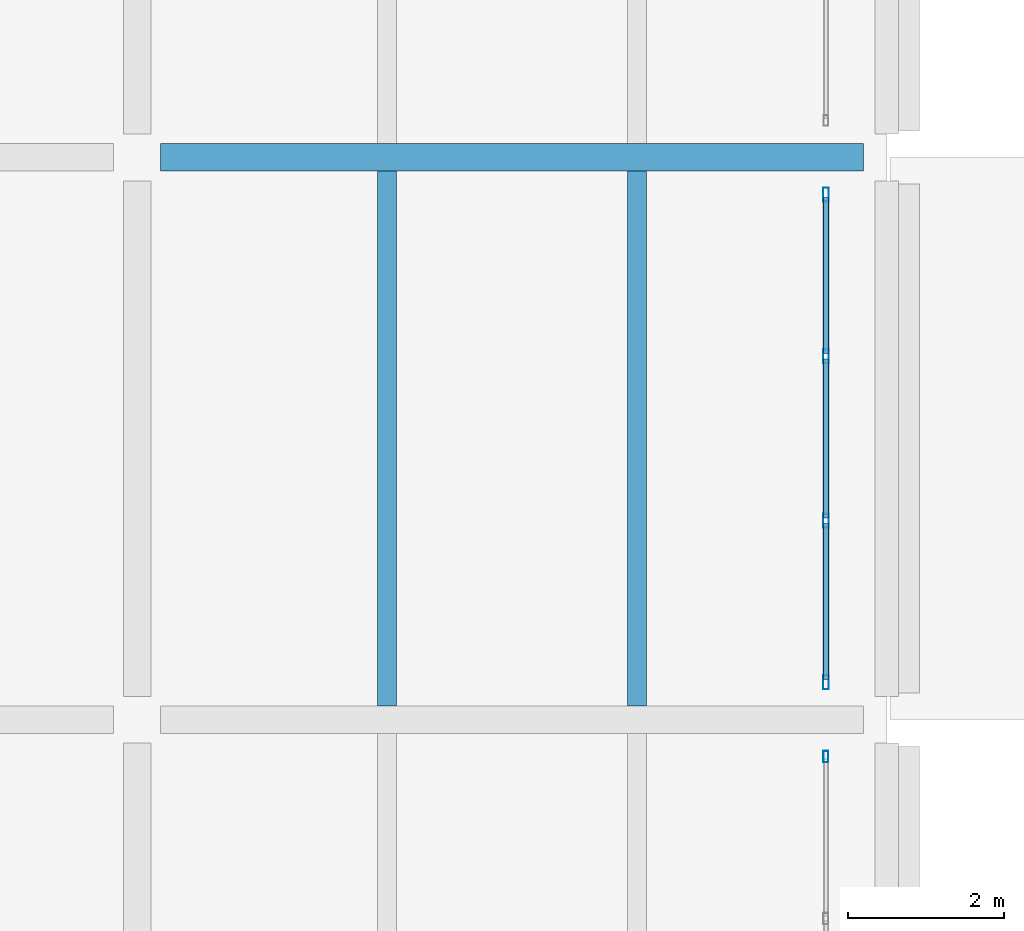
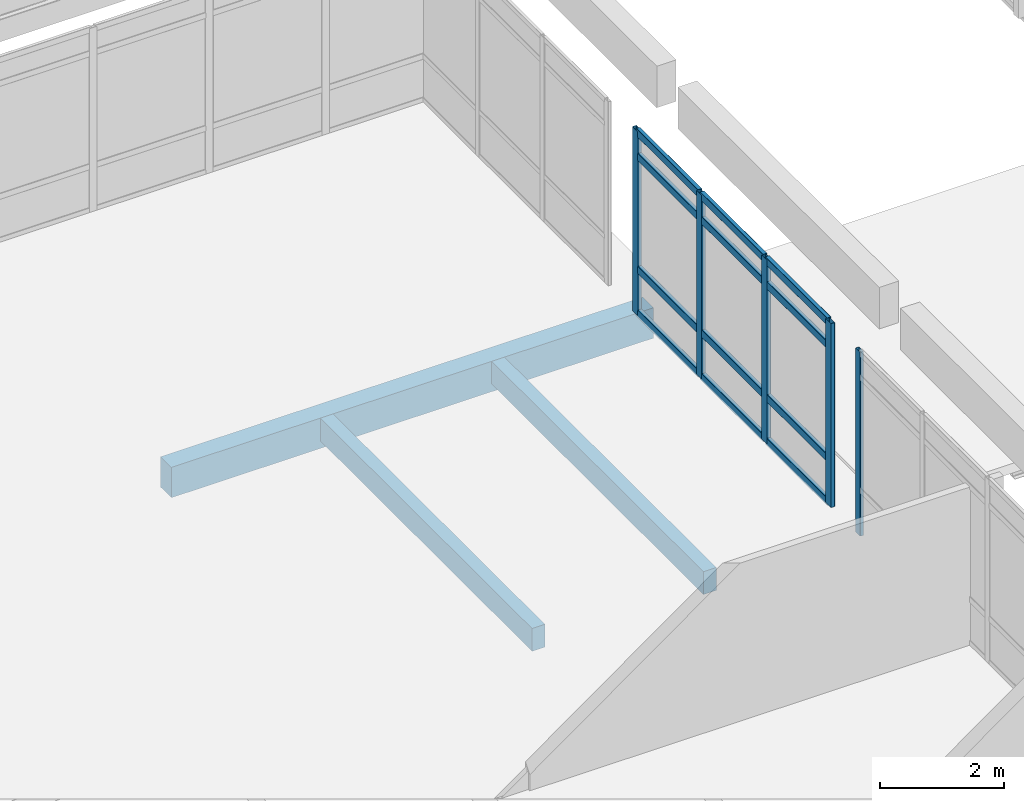
# One storey, part 67 of 180: 17 members, 3 beams, 2 elements without a shape of their own.
"""IFC4 building model written with IfcOpenShell, lengths in metres."""

from ifc_helpers import new_model, si_unit, direction, frame, origin, origin_2d, place, context, subcontext, project, spatial, rectangle, hollow_rectangle, extrude, material, layer, layer_set, material_profile, profile_set, type_object, element, aggregate, save


model = new_model("IFC4")

# Units and contexts
model_context = context("Model", 3, precision=1e-05, world=origin(), true_north=direction((0.0, 1.0)))
body_context = subcontext(model_context, "Body", "Model", "MODEL_VIEW")
ifc_project = project(units=[si_unit("LENGTHUNIT", "METRE"), si_unit("AREAUNIT", "SQUARE_METRE"), si_unit("VOLUMEUNIT", "CUBIC_METRE"), si_unit("PLANEANGLEUNIT", "RADIAN"), si_unit("MASSUNIT", "GRAM", prefix="KILO")], contexts=[model_context])

# Site, building, storey
site_placement = place(None, origin())
site = spatial("IfcSite", under=ifc_project, at=site_placement, CompositionType="ELEMENT")
building_placement = place(site_placement, origin())
building = spatial("IfcBuilding", under=site, at=building_placement, Name="Asteropetra Specialist Clinic", CompositionType="ELEMENT")
storey_placement = place(building_placement, frame((0.0, 0.0, 4.419921875)))
storey = spatial("IfcBuildingStorey", under=building, at=storey_placement, Name="L01", CompositionType="ELEMENT", Elevation=4.419921875)

# Beam
ifc_material_1 = material(Name="Concrete C35/45", Category="concrete")
ifc_material_profile_1 = material_profile(ifc_material_1, rectangle(XDim=0.35009765625, YDim=0.60009765625, at=origin_2d()), Name="RCB 350x600")
ifc_profile_set_1 = profile_set([ifc_material_profile_1], Name="Concrete C35/45")
beam_type_1 = type_object("IfcBeamType", Name="BM-RC350x600", PredefinedType="BEAM", material=ifc_profile_set_1)
beam_placement = place(storey_placement, frame((86.699951171875, 55.199951171875, -0.559814453125), z_axis=(1.0, 0.0, 0.0), x_axis=(0.0, 1.0, 0.0)))
element("IfcBeam", 1, at=beam_placement, inside=storey, type_object=beam_type_1, Name="Beam BBM09-0771", PredefinedType="BEAM", context=body_context, shape_type="SweptSolid", body=[
    extrude(rectangle(XDim=0.35009765625, YDim=0.60009765625, at=origin_2d()), origin(), (0.0, 0.0, 1.0), 9.0),
])

# Curtain wall, member
ifc_material_2 = material(Name="Aluminium and low-E glass", Category="aluminium")
ifc_layer = layer(ifc_material_2, 0.179931640625)
ifc_layer_set = layer_set([ifc_layer], Name="Aluminium and low-E glass")
curtain_wall_type = type_object("IfcCurtainWallType", Name="CW-SYS-10", PredefinedType="USERDEFINED", material=ifc_layer_set)
curtain_wall_1_placement = place(storey_placement, origin())
curtain_wall_1 = element("IfcCurtainWall", 2, at=curtain_wall_1_placement, inside=storey, type_object=curtain_wall_type, Name="Curtain Wall CW-178", ObjectType="STICK GLAZED COLONNADE", PredefinedType="USERDEFINED")
ifc_material_3 = material(Name="Aluminium 6063-T6", Category="aluminium")
ifc_material_profile_2 = material_profile(ifc_material_3, hollow_rectangle(XDim=0.06494140625, YDim=0.14990234375, WallThickness=0.00390625, InnerFilletRadius=0.00390625, OuterFilletRadius=0.008056640625, at=origin_2d()), Name="MUL 150x65x4.0")
ifc_profile_set_2 = profile_set([ifc_material_profile_2], Name="Aluminium 6063-T6")
member_type_1 = type_object("IfcMemberType", Name="CWM-150x65", PredefinedType="MULLION", material=ifc_profile_set_2)
member_1_placement = place(storey_placement, frame((95.219970703125, 47.527587890625, 0.0), z_axis=(0.0, 0.0, 1.0), x_axis=(-1.0, 0.0, 0.0)))
member_1 = element("IfcMember", 3, at=member_1_placement, type_object=member_type_1, Name="CW-178 mullion 4", PredefinedType="MULLION", context=body_context, shape_type="SweptSolid", body=[
    extrude(hollow_rectangle(XDim=0.06494140625, YDim=0.14990234375, WallThickness=0.00390625, InnerFilletRadius=0.00390625, OuterFilletRadius=0.008056640625, at=origin_2d()), origin(), (0.0, 0.0, 1.0), 3.630126953125),
])
aggregate(curtain_wall_1, [member_1])

# Curtain wall, members
curtain_wall_2_placement = place(storey_placement, origin())
curtain_wall_2 = element("IfcCurtainWall", 4, at=curtain_wall_2_placement, inside=storey, type_object=curtain_wall_type, Name="Curtain Wall CW-180", ObjectType="STICK GLAZED COLONNADE", PredefinedType="USERDEFINED")
ifc_material_4 = material(Name="Aluminium 6063-T6", Category="aluminium")
ifc_material_profile_3 = material_profile(ifc_material_4, hollow_rectangle(XDim=0.074951171875, YDim=0.179931640625, WallThickness=0.00390625, InnerFilletRadius=0.00390625, OuterFilletRadius=0.008056640625, at=origin_2d()), Name="MUL 180x75x4.0")
ifc_profile_set_3 = profile_set([ifc_material_profile_3], Name="Aluminium 6063-T6")
member_type_2 = type_object("IfcMemberType", Name="CWM-180x75", PredefinedType="MULLION", material=ifc_profile_set_3)
member_2_placement = place(storey_placement, frame((95.219970703125, 48.4775390625, 0.0), z_axis=(0.0, 0.0, 1.0), x_axis=(-1.0, 0.0, 0.0)))
member_2 = element("IfcMember", 5, at=member_2_placement, type_object=member_type_2, Name="CW-180 mullion 1", PredefinedType="MULLION", context=body_context, shape_type="SweptSolid", body=[
    extrude(hollow_rectangle(XDim=0.074951171875, YDim=0.179931640625, WallThickness=0.00390625, InnerFilletRadius=0.00390625, OuterFilletRadius=0.008056640625, at=origin_2d()), origin(), (0.0, 0.0, 1.0), 3.630126953125),
])
member_3_placement = place(storey_placement, frame((95.219970703125, 50.546630859375, 0.0), z_axis=(0.0, 0.0, 1.0), x_axis=(-1.0, 0.0, 0.0)))
member_3 = element("IfcMember", 6, at=member_3_placement, type_object=member_type_2, Name="CW-180 mullion 2", PredefinedType="MULLION", context=body_context, shape_type="SweptSolid", body=[
    extrude(hollow_rectangle(XDim=0.074951171875, YDim=0.179931640625, WallThickness=0.00390625, InnerFilletRadius=0.00390625, OuterFilletRadius=0.008056640625, at=origin_2d()), origin(), (0.0, 0.0, 1.0), 3.630126953125),
])
member_4_placement = place(storey_placement, frame((95.219970703125, 52.6533203125, 0.0), z_axis=(0.0, 0.0, 1.0), x_axis=(-1.0, 0.0, 0.0)))
member_4 = element("IfcMember", 7, at=member_4_placement, type_object=member_type_2, Name="CW-180 mullion 3", PredefinedType="MULLION", context=body_context, shape_type="SweptSolid", body=[
    extrude(hollow_rectangle(XDim=0.074951171875, YDim=0.179931640625, WallThickness=0.00390625, InnerFilletRadius=0.00390625, OuterFilletRadius=0.008056640625, at=origin_2d()), origin(), (0.0, 0.0, 1.0), 3.630126953125),
])
member_5_placement = place(storey_placement, frame((95.219970703125, 54.722412109375, 0.0), z_axis=(0.0, 0.0, 1.0), x_axis=(-1.0, 0.0, 0.0)))
member_5 = element("IfcMember", 8, at=member_5_placement, type_object=member_type_2, Name="CW-180 mullion 4", PredefinedType="MULLION", context=body_context, shape_type="SweptSolid", body=[
    extrude(hollow_rectangle(XDim=0.074951171875, YDim=0.179931640625, WallThickness=0.00390625, InnerFilletRadius=0.00390625, OuterFilletRadius=0.008056640625, at=origin_2d()), origin(), (0.0, 0.0, 1.0), 3.630126953125),
])
ifc_material_5 = material(Name="Aluminium 6063-T6", Category="aluminium")
ifc_material_profile_4 = material_profile(ifc_material_5, hollow_rectangle(XDim=0.074951171875, YDim=0.14990234375, WallThickness=0.00390625, InnerFilletRadius=0.00390625, OuterFilletRadius=0.008056640625, at=origin_2d()), Name="TRN 150x75x4.0")
ifc_profile_set_4 = profile_set([ifc_material_profile_4], Name="Aluminium 6063-T6")
member_type_3 = type_object("IfcMemberType", Name="CWT-150x75", PredefinedType="USERDEFINED", material=ifc_profile_set_4)
member_6_placement = place(storey_placement, frame((95.219970703125, 48.514892578125, 0.03759765625), z_axis=(0.0, 1.0, 0.0), x_axis=(-1.0, 0.0, 0.0)))
member_6 = element("IfcMember", 9, at=member_6_placement, type_object=member_type_3, Name="CW-180 transom 1.1", ObjectType="TRANSOM", PredefinedType="USERDEFINED", context=body_context, shape_type="SweptSolid", body=[
    extrude(hollow_rectangle(XDim=0.074951171875, YDim=0.14990234375, WallThickness=0.00390625, InnerFilletRadius=0.00390625, OuterFilletRadius=0.008056640625, at=origin_2d()), origin(), (0.0, 0.0, 1.0), 1.994384765625),
])
member_7_placement = place(storey_placement, frame((95.219970703125, 48.514892578125, 0.900146484375), z_axis=(0.0, 1.0, 0.0), x_axis=(-1.0, 0.0, 0.0)))
member_7 = element("IfcMember", 10, at=member_7_placement, type_object=member_type_3, Name="CW-180 transom 1.2", ObjectType="TRANSOM", PredefinedType="USERDEFINED", context=body_context, shape_type="SweptSolid", body=[
    extrude(hollow_rectangle(XDim=0.074951171875, YDim=0.14990234375, WallThickness=0.00390625, InnerFilletRadius=0.00390625, OuterFilletRadius=0.008056640625, at=origin_2d()), origin(), (0.0, 0.0, 1.0), 1.994384765625),
])
member_8_placement = place(storey_placement, frame((95.219970703125, 48.514892578125, 3.130126953125), z_axis=(0.0, 1.0, 0.0), x_axis=(-1.0, 0.0, 0.0)))
member_8 = element("IfcMember", 11, at=member_8_placement, type_object=member_type_3, Name="CW-180 transom 1.3", ObjectType="TRANSOM", PredefinedType="USERDEFINED", context=body_context, shape_type="SweptSolid", body=[
    extrude(hollow_rectangle(XDim=0.074951171875, YDim=0.14990234375, WallThickness=0.00390625, InnerFilletRadius=0.00390625, OuterFilletRadius=0.008056640625, at=origin_2d()), origin(), (0.0, 0.0, 1.0), 1.994384765625),
])
member_9_placement = place(storey_placement, frame((95.219970703125, 48.514892578125, 3.592529296875), z_axis=(0.0, 1.0, 0.0), x_axis=(-1.0, 0.0, 0.0)))
member_9 = element("IfcMember", 12, at=member_9_placement, type_object=member_type_3, Name="CW-180 transom 1.4", ObjectType="TRANSOM", PredefinedType="USERDEFINED", context=body_context, shape_type="SweptSolid", body=[
    extrude(hollow_rectangle(XDim=0.074951171875, YDim=0.14990234375, WallThickness=0.00390625, InnerFilletRadius=0.00390625, OuterFilletRadius=0.008056640625, at=origin_2d()), origin(), (0.0, 0.0, 1.0), 1.994384765625),
])
member_10_placement = place(storey_placement, frame((95.219970703125, 50.584228515625, 0.03759765625), z_axis=(0.0, 1.0, 0.0), x_axis=(-1.0, 0.0, 0.0)))
member_10 = element("IfcMember", 13, at=member_10_placement, type_object=member_type_3, Name="CW-180 transom 2.1", ObjectType="TRANSOM", PredefinedType="USERDEFINED", context=body_context, shape_type="SweptSolid", body=[
    extrude(hollow_rectangle(XDim=0.074951171875, YDim=0.14990234375, WallThickness=0.00390625, InnerFilletRadius=0.00390625, OuterFilletRadius=0.008056640625, at=origin_2d()), origin(), (0.0, 0.0, 1.0), 2.031494140625),
])
member_11_placement = place(storey_placement, frame((95.219970703125, 50.584228515625, 0.900146484375), z_axis=(0.0, 1.0, 0.0), x_axis=(-1.0, 0.0, 0.0)))
member_11 = element("IfcMember", 14, at=member_11_placement, type_object=member_type_3, Name="CW-180 transom 2.2", ObjectType="TRANSOM", PredefinedType="USERDEFINED", context=body_context, shape_type="SweptSolid", body=[
    extrude(hollow_rectangle(XDim=0.074951171875, YDim=0.14990234375, WallThickness=0.00390625, InnerFilletRadius=0.00390625, OuterFilletRadius=0.008056640625, at=origin_2d()), origin(), (0.0, 0.0, 1.0), 2.031494140625),
])
member_12_placement = place(storey_placement, frame((95.219970703125, 50.584228515625, 3.130126953125), z_axis=(0.0, 1.0, 0.0), x_axis=(-1.0, 0.0, 0.0)))
member_12 = element("IfcMember", 15, at=member_12_placement, type_object=member_type_3, Name="CW-180 transom 2.3", ObjectType="TRANSOM", PredefinedType="USERDEFINED", context=body_context, shape_type="SweptSolid", body=[
    extrude(hollow_rectangle(XDim=0.074951171875, YDim=0.14990234375, WallThickness=0.00390625, InnerFilletRadius=0.00390625, OuterFilletRadius=0.008056640625, at=origin_2d()), origin(), (0.0, 0.0, 1.0), 2.031494140625),
])
member_13_placement = place(storey_placement, frame((95.219970703125, 50.584228515625, 3.592529296875), z_axis=(0.0, 1.0, 0.0), x_axis=(-1.0, 0.0, 0.0)))
member_13 = element("IfcMember", 16, at=member_13_placement, type_object=member_type_3, Name="CW-180 transom 2.4", ObjectType="TRANSOM", PredefinedType="USERDEFINED", context=body_context, shape_type="SweptSolid", body=[
    extrude(hollow_rectangle(XDim=0.074951171875, YDim=0.14990234375, WallThickness=0.00390625, InnerFilletRadius=0.00390625, OuterFilletRadius=0.008056640625, at=origin_2d()), origin(), (0.0, 0.0, 1.0), 2.031494140625),
])
member_14_placement = place(storey_placement, frame((95.219970703125, 52.69091796875, 0.03759765625), z_axis=(0.0, 1.0, 0.0), x_axis=(-1.0, 0.0, 0.0)))
member_14 = element("IfcMember", 17, at=member_14_placement, type_object=member_type_3, Name="CW-180 transom 3.1", ObjectType="TRANSOM", PredefinedType="USERDEFINED", context=body_context, shape_type="SweptSolid", body=[
    extrude(hollow_rectangle(XDim=0.074951171875, YDim=0.14990234375, WallThickness=0.00390625, InnerFilletRadius=0.00390625, OuterFilletRadius=0.008056640625, at=origin_2d()), origin(), (0.0, 0.0, 1.0), 1.994140625),
])
member_15_placement = place(storey_placement, frame((95.219970703125, 52.69091796875, 0.900146484375), z_axis=(0.0, 1.0, 0.0), x_axis=(-1.0, 0.0, 0.0)))
member_15 = element("IfcMember", 18, at=member_15_placement, type_object=member_type_3, Name="CW-180 transom 3.2", ObjectType="TRANSOM", PredefinedType="USERDEFINED", context=body_context, shape_type="SweptSolid", body=[
    extrude(hollow_rectangle(XDim=0.074951171875, YDim=0.14990234375, WallThickness=0.00390625, InnerFilletRadius=0.00390625, OuterFilletRadius=0.008056640625, at=origin_2d()), origin(), (0.0, 0.0, 1.0), 1.994140625),
])
member_16_placement = place(storey_placement, frame((95.219970703125, 52.69091796875, 3.130126953125), z_axis=(0.0, 1.0, 0.0), x_axis=(-1.0, 0.0, 0.0)))
member_16 = element("IfcMember", 19, at=member_16_placement, type_object=member_type_3, Name="CW-180 transom 3.3", ObjectType="TRANSOM", PredefinedType="USERDEFINED", context=body_context, shape_type="SweptSolid", body=[
    extrude(hollow_rectangle(XDim=0.074951171875, YDim=0.14990234375, WallThickness=0.00390625, InnerFilletRadius=0.00390625, OuterFilletRadius=0.008056640625, at=origin_2d()), origin(), (0.0, 0.0, 1.0), 1.994140625),
])
member_17_placement = place(storey_placement, frame((95.219970703125, 52.69091796875, 3.592529296875), z_axis=(0.0, 1.0, 0.0), x_axis=(-1.0, 0.0, 0.0)))
member_17 = element("IfcMember", 20, at=member_17_placement, type_object=member_type_3, Name="CW-180 transom 3.4", ObjectType="TRANSOM", PredefinedType="USERDEFINED", context=body_context, shape_type="SweptSolid", body=[
    extrude(hollow_rectangle(XDim=0.074951171875, YDim=0.14990234375, WallThickness=0.00390625, InnerFilletRadius=0.00390625, OuterFilletRadius=0.008056640625, at=origin_2d()), origin(), (0.0, 0.0, 1.0), 1.994140625),
])
aggregate(curtain_wall_2, [member_2, member_3, member_4, member_5, member_6, member_7, member_8, member_9, member_10, member_11, member_12, member_13, member_14, member_15, member_16, member_17])

# Beams
ifc_material_6 = material(Name="Concrete C35/45", Category="concrete")
ifc_material_profile_5 = material_profile(ifc_material_6, rectangle(XDim=0.239990234375, YDim=0.449951171875, at=origin_2d()), Name="RCJ 240x450")
ifc_profile_set_5 = profile_set([ifc_material_profile_5], Name="Concrete C35/45")
beam_type_2 = type_object("IfcBeamType", Name="JST-RC240x450", PredefinedType="JOIST", material=ifc_profile_set_5)
for number, where, z_axis, x_axis, name in (
    (21, (89.60009765625, 48.175048828125, -0.48486328125), (0.0, 1.0, 0.0), (-1.0, 0.0, 0.0), "Joist JJST03-0791"),
    (22, (92.800048828125, 48.175048828125, -0.48486328125), (0.0, 1.0, 0.0), (-1.0, 0.0, 0.0), "Joist JJST03-0792"),
):
    element("IfcBeam", number, at=place(storey_placement, frame(where, z_axis=z_axis, x_axis=x_axis)), inside=storey, type_object=beam_type_2, Name=name, PredefinedType="JOIST", context=body_context, shape_type="SweptSolid", body=[
        extrude(rectangle(XDim=0.239990234375, YDim=0.449951171875, at=origin_2d()), origin(), (0.0, 0.0, 1.0), 6.849853515625),
    ])

save(model, "model.ifc")
